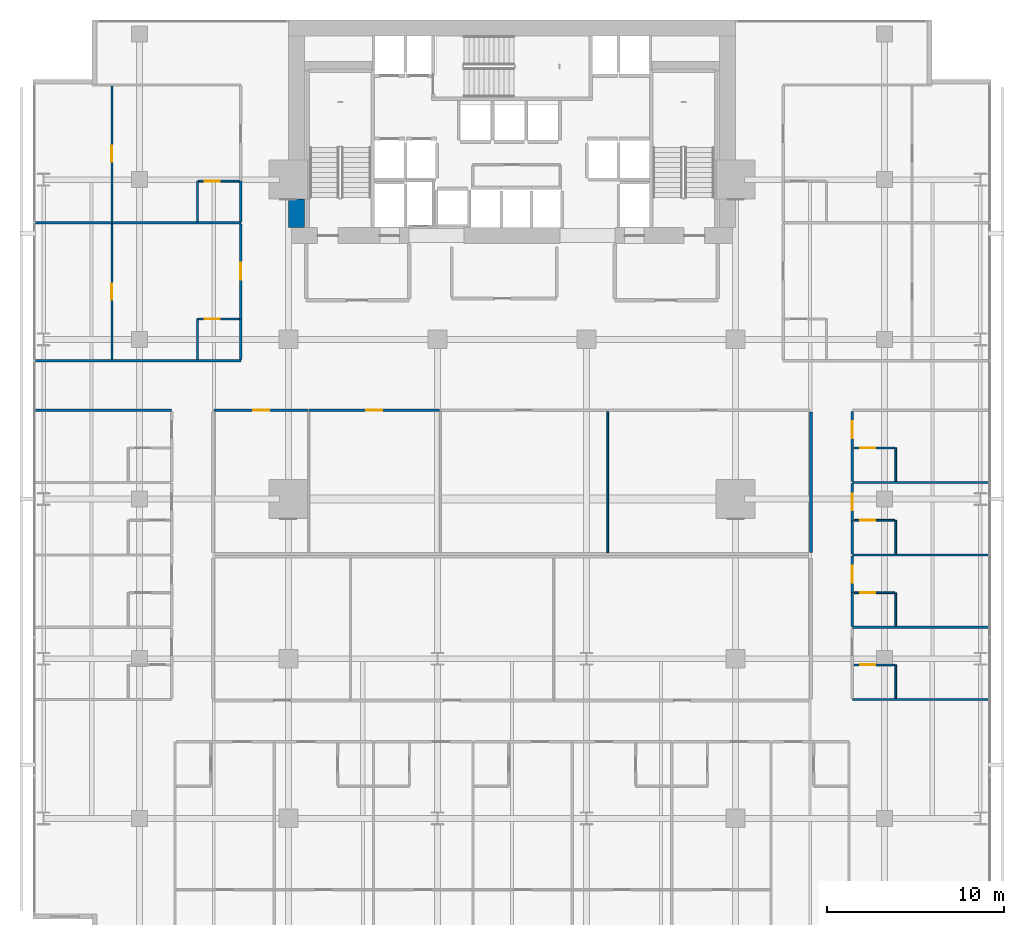
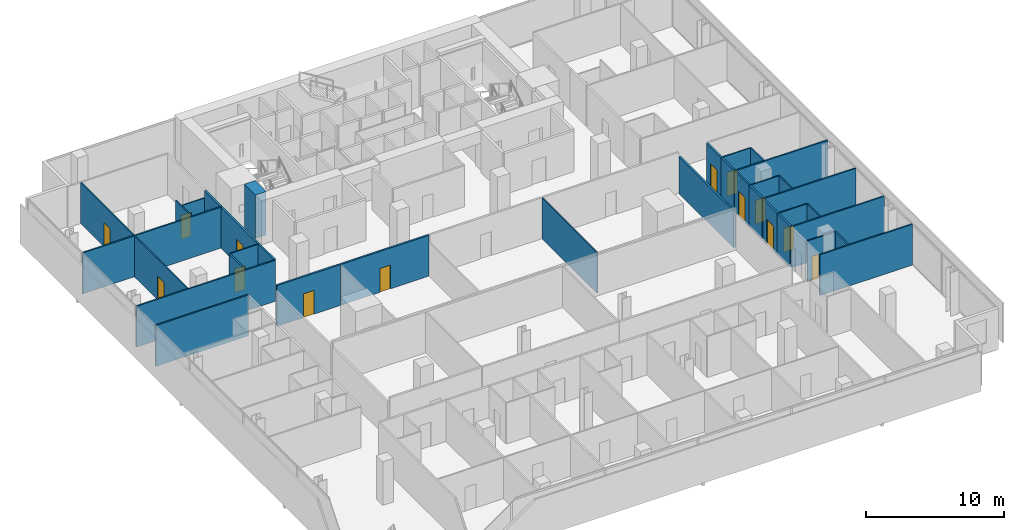
# One storey, part 35 of 40: 35 walls, 14 doors, 14 openings.
"""IFC4 building model written with IfcOpenShell, lengths in metres."""

from ifc_helpers import new_model, si_unit, direction, frame, frame_2d, origin, place, context, subcontext, project, spatial, rectangle, extrude, material, layer, layer_set, type_object, element, fill, save


model = new_model("IFC4")

# Units and contexts
model_context = context("Model", 3, precision=1e-05, world=origin(), true_north=direction((0.0, 1.0)))
body_context = subcontext(model_context, "Body", "Model", "MODEL_VIEW")
ifc_project = project(units=[si_unit("LENGTHUNIT", "METRE"), si_unit("AREAUNIT", "SQUARE_METRE"), si_unit("VOLUMEUNIT", "CUBIC_METRE"), si_unit("PLANEANGLEUNIT", "RADIAN"), si_unit("MASSUNIT", "GRAM", prefix="KILO")], contexts=[model_context])

# Site, building, storey
site_placement = place(None, origin())
site = spatial("IfcSite", under=ifc_project, at=site_placement, CompositionType="ELEMENT")
building_placement = place(site_placement, origin())
building = spatial("IfcBuilding", under=site, at=building_placement, Name="Maruvema Waterfront Hotel and Observation Tower", CompositionType="ELEMENT")
storey_placement = place(building_placement, frame((0.0, 0.0, 53.89990234375)))
storey = spatial("IfcBuildingStorey", under=building, at=storey_placement, Name="L12", CompositionType="ELEMENT", Elevation=53.89990234375)

# Wall
ifc_material_1 = material(Name="Twin-stud acoustic gypsum drywall", Category="gypsum")
ifc_layer_1 = layer(ifc_material_1, 0.14990234375, Name="Acoustic Corridor and Suite Demising Wall 150 mm")
ifc_layer_set_1 = layer_set([ifc_layer_1], Name="Twin-stud acoustic gypsum drywall")
wall_type_1 = type_object("IfcWallType", Name="Acoustic Corridor and Suite Demising Wall 150 mm", PredefinedType="PARTITIONING", material=ifc_layer_set_1)
wall_1_placement = place(storey_placement, frame((54.64990234375, 23.97998046875, 0.0), z_axis=(0.0, 0.0, 1.0), x_axis=(0.0, 1.0, 0.0)))
element("IfcWall", 1, at=wall_1_placement, inside=storey, type_object=wall_type_1, Name="L12 L12-INTN East Wall 018", PredefinedType="PARTITIONING", context=body_context, shape_type="SweptSolid", body=[
    extrude(rectangle(XDim=7.93994140625, YDim=0.14990234375, at=frame_2d((3.969970703125, 0.0))), origin(), (0.0, 0.0, 1.0), 3.255126953125),
])

# Wall, opening, door
wall_2_placement = place(storey_placement, frame((21.010009765625, 32.0, 0.0), z_axis=(0.0, 0.0, 1.0), x_axis=(1.0, 0.0, 0.0)))
wall_2 = element("IfcWall", 2, at=wall_2_placement, inside=storey, type_object=wall_type_1, Name="L12 L12-INTN Front 1 019", PredefinedType="PARTITIONING", context=body_context, shape_type="SweptSolid", body=[
    extrude(rectangle(XDim=5.302001953125, YDim=0.14990234375, at=frame_2d((2.65087890625, 0.0))), origin(), (0.0, 0.0, 1.0), 3.610107421875),
])
opening_1_placement = place(wall_2_placement, frame((2.200927734375, 0.0, 0.0)))
opening_1 = element("IfcOpeningElement", 3, at=opening_1_placement, cuts=wall_2, Name="Opening DR-090", PredefinedType="OPENING", context=body_context, shape_type="SweptSolid", body=[
    extrude(rectangle(XDim=0.89990234375, YDim=2.10009765625, at=frame_2d((0.449951171875, 1.050048828125))), frame((0.0, 0.0849609375, 0.0), z_axis=(0.0, -1.0, 0.0), x_axis=(1.0, 0.0, 0.0)), (0.0, 0.0, 1.0), 0.169921875),
])
ifc_material_2 = material(Name="Solid-core lacquered timber leaf", Category="wood")
door_type_1 = type_object("IfcDoorType", Name="Accessible Toilet and Room Door 900x2100 mm", OperationType="NOTDEFINED", PredefinedType="DOOR", material=ifc_material_2)
door_1_placement = place(opening_1_placement, origin())
door_1 = element("IfcDoor", 4, at=door_1_placement, inside=storey, type_object=door_type_1, Name="L12 Conference Salon 1 Door", OperationType="SINGLE_SWING_RIGHT", OverallHeight=2.10009765625, OverallWidth=0.89990234375, PredefinedType="DOOR", context=body_context, shape_type="SweptSolid", body=[
    extrude(rectangle(XDim=0.89990234375, YDim=2.10009765625, at=frame_2d((0.449951171875, 1.050048828125))), frame((0.0, 0.02490234375, 0.0), z_axis=(0.0, -1.0, 0.0), x_axis=(1.0, 0.0, 0.0)), (0.0, 0.0, 1.0), 0.050048828125),
])
fill(opening_1, door_1)

wall_3_placement = place(storey_placement, frame((26.3720703125, 32.0, 0.0), z_axis=(0.0, 0.0, 1.0), x_axis=(1.0, 0.0, 0.0)))
wall_3 = element("IfcWall", 5, at=wall_3_placement, inside=storey, type_object=wall_type_1, Name="L12 L12-INTN Front 2 021", PredefinedType="PARTITIONING", context=body_context, shape_type="SweptSolid", body=[
    extrude(rectangle(XDim=7.35400390625, YDim=0.14990234375, at=frame_2d((3.677001953125, 0.0))), origin(), (0.0, 0.0, 1.0), 3.610107421875),
])
opening_2_placement = place(wall_3_placement, frame((3.22705078125, 0.0, 0.0)))
opening_2 = element("IfcOpeningElement", 6, at=opening_2_placement, cuts=wall_3, Name="Opening DR-090", PredefinedType="OPENING", context=body_context, shape_type="SweptSolid", body=[
    extrude(rectangle(XDim=0.89990234375, YDim=2.10009765625, at=frame_2d((0.449951171875, 1.050048828125))), frame((0.0, 0.0849609375, 0.0), z_axis=(0.0, -1.0, 0.0), x_axis=(1.0, 0.0, 0.0)), (0.0, 0.0, 1.0), 0.169921875),
])
door_2_placement = place(opening_2_placement, origin())
door_2 = element("IfcDoor", 7, at=door_2_placement, inside=storey, type_object=door_type_1, Name="L12 Conference Salon 2 Door", OperationType="SINGLE_SWING_LEFT", OverallHeight=2.10009765625, OverallWidth=0.89990234375, PredefinedType="DOOR", context=body_context, shape_type="SweptSolid", body=[
    extrude(rectangle(XDim=0.89990234375, YDim=2.10009765625, at=frame_2d((0.449951171875, 1.050048828125))), frame((0.0, 0.02490234375, 0.0), z_axis=(0.0, -1.0, 0.0), x_axis=(1.0, 0.0, 0.0)), (0.0, 0.0, 1.0), 0.050048828125),
])
fill(opening_2, door_2)

# Wall
wall_4_placement = place(storey_placement, frame((56.97998046875, 19.830078125, 0.0), z_axis=(0.0, 0.0, 1.0), x_axis=(0.0, 1.0, 0.0)))
element("IfcWall", 8, at=wall_4_placement, inside=storey, type_object=wall_type_1, Name="L12 Bath L12-E2 Wall 094", PredefinedType="PARTITIONING", context=body_context, shape_type="SweptSolid", body=[
    extrude(rectangle(XDim=1.889892578125, YDim=0.14990234375, at=frame_2d((0.94482421875, 0.0))), origin(), (0.0, 0.0, 1.0), 3.610107421875),
])

# Wall, opening, door
wall_5_placement = place(storey_placement, frame((56.97998046875, 21.719970703125, 0.0), z_axis=(0.0, 0.0, 1.0), x_axis=(0.0, 1.0, 0.0)))
wall_5 = element("IfcWall", 9, at=wall_5_placement, inside=storey, type_object=wall_type_1, Name="L12 Room L12-E2 Corridor Wall 095", PredefinedType="PARTITIONING", context=body_context, shape_type="SweptSolid", body=[
    extrude(rectangle(XDim=2.070068359375, YDim=0.14990234375, at=frame_2d((1.03515625, 0.0))), origin(), (0.0, 0.0, 1.0), 3.610107421875),
])
opening_3_placement = place(wall_5_placement, frame((0.56005859375, 0.0, 0.0)))
opening_3 = element("IfcOpeningElement", 10, at=opening_3_placement, cuts=wall_5, Name="Opening DR-095", PredefinedType="OPENING", context=body_context, shape_type="SweptSolid", body=[
    extrude(rectangle(XDim=0.949951171875, YDim=2.14990234375, at=frame_2d((0.47509765625, 1.074951171875))), frame((0.0, 0.0849609375, 0.0), z_axis=(0.0, -1.0, 0.0), x_axis=(1.0, 0.0, 0.0)), (0.0, 0.0, 1.0), 0.169921875),
])
ifc_material_3 = material(Name="Acoustic solid-core hardwood timber leaf", Category="wood")
door_type_2 = type_object("IfcDoorType", Name="Guestroom Entrance Fire Door 950x2150 mm", OperationType="NOTDEFINED", PredefinedType="DOOR", material=ifc_material_3)
door_3_placement = place(opening_3_placement, frame((0.949951171875, 0.0, 0.0), z_axis=(0.0, 0.0, 1.0), x_axis=(-1.0, 0.0, 0.0)))
door_3 = element("IfcDoor", 11, at=door_3_placement, inside=storey, type_object=door_type_2, Name="L12 Room L12-E2 Entrance Door", OperationType="SINGLE_SWING_RIGHT", OverallHeight=2.14990234375, OverallWidth=0.949951171875, PredefinedType="DOOR", context=body_context, shape_type="SweptSolid", body=[
    extrude(rectangle(XDim=0.949951171875, YDim=2.14990234375, at=frame_2d((0.47509765625, 1.074951171875))), frame((0.0, 0.02490234375, 0.0), z_axis=(0.0, -1.0, 0.0), x_axis=(1.0, 0.0, 0.0)), (0.0, 0.0, 1.0), 0.050048828125),
])
fill(opening_3, door_3)

# Wall
wall_6_placement = place(storey_placement, frame((56.97998046875, 23.909912109375, 0.0), z_axis=(0.0, 0.0, 1.0), x_axis=(0.0, 1.0, 0.0)))
element("IfcWall", 12, at=wall_6_placement, inside=storey, type_object=wall_type_1, Name="L12 Bath L12-E3 Wall 104", PredefinedType="PARTITIONING", context=body_context, shape_type="SweptSolid", body=[
    extrude(rectangle(XDim=1.89013671875, YDim=0.14990234375, at=frame_2d((0.945068359375, 0.0))), origin(), (0.0, 0.0, 1.0), 3.610107421875),
])

# Wall, opening, door
wall_7_placement = place(storey_placement, frame((56.97998046875, 25.800048828125, 0.0), z_axis=(0.0, 0.0, 1.0), x_axis=(0.0, 1.0, 0.0)))
wall_7 = element("IfcWall", 13, at=wall_7_placement, inside=storey, type_object=wall_type_1, Name="L12 Room L12-E3 Corridor Wall 105", PredefinedType="PARTITIONING", context=body_context, shape_type="SweptSolid", body=[
    extrude(rectangle(XDim=2.070068359375, YDim=0.14990234375, at=frame_2d((1.03515625, 0.0))), origin(), (0.0, 0.0, 1.0), 3.610107421875),
])
opening_4_placement = place(wall_7_placement, frame((0.56005859375, 0.0, 0.0)))
opening_4 = element("IfcOpeningElement", 14, at=opening_4_placement, cuts=wall_7, Name="Opening DR-095", PredefinedType="OPENING", context=body_context, shape_type="SweptSolid", body=[
    extrude(rectangle(XDim=0.949951171875, YDim=2.14990234375, at=frame_2d((0.47509765625, 1.074951171875))), frame((0.0, 0.0849609375, 0.0), z_axis=(0.0, -1.0, 0.0), x_axis=(1.0, 0.0, 0.0)), (0.0, 0.0, 1.0), 0.169921875),
])
door_4_placement = place(opening_4_placement, frame((0.949951171875, 0.0, 0.0), z_axis=(0.0, 0.0, 1.0), x_axis=(-1.0, 0.0, 0.0)))
door_4 = element("IfcDoor", 15, at=door_4_placement, inside=storey, type_object=door_type_2, Name="L12 Room L12-E3 Entrance Door", OperationType="SINGLE_SWING_RIGHT", OverallHeight=2.14990234375, OverallWidth=0.949951171875, PredefinedType="DOOR", context=body_context, shape_type="SweptSolid", body=[
    extrude(rectangle(XDim=0.949951171875, YDim=2.14990234375, at=frame_2d((0.47509765625, 1.074951171875))), frame((0.0, 0.02490234375, 0.0), z_axis=(0.0, -1.0, 0.0), x_axis=(1.0, 0.0, 0.0)), (0.0, 0.0, 1.0), 0.050048828125),
])
fill(opening_4, door_4)

# Wall
wall_8_placement = place(storey_placement, frame((56.97998046875, 27.989990234375, 0.0), z_axis=(0.0, 0.0, 1.0), x_axis=(0.0, 1.0, 0.0)))
element("IfcWall", 16, at=wall_8_placement, inside=storey, type_object=wall_type_1, Name="L12 Bath L12-E4 Wall 114", PredefinedType="PARTITIONING", context=body_context, shape_type="SweptSolid", body=[
    extrude(rectangle(XDim=1.889892578125, YDim=0.14990234375, at=frame_2d((0.94482421875, 0.0))), origin(), (0.0, 0.0, 1.0), 3.610107421875),
])

# Wall, opening, door
wall_9_placement = place(storey_placement, frame((56.97998046875, 29.8798828125, 0.0), z_axis=(0.0, 0.0, 1.0), x_axis=(0.0, 1.0, 0.0)))
wall_9 = element("IfcWall", 17, at=wall_9_placement, inside=storey, type_object=wall_type_1, Name="L12 Room L12-E4 Corridor Wall 115", PredefinedType="PARTITIONING", context=body_context, shape_type="SweptSolid", body=[
    extrude(rectangle(XDim=2.06005859375, YDim=0.14990234375, at=frame_2d((1.030029296875, 0.0))), origin(), (0.0, 0.0, 1.0), 3.610107421875),
])
opening_5_placement = place(wall_9_placement, frame((0.554931640625, 0.0, 0.0)))
opening_5 = element("IfcOpeningElement", 18, at=opening_5_placement, cuts=wall_9, Name="Opening DR-095", PredefinedType="OPENING", context=body_context, shape_type="SweptSolid", body=[
    extrude(rectangle(XDim=0.949951171875, YDim=2.14990234375, at=frame_2d((0.47509765625, 1.074951171875))), frame((0.0, 0.0849609375, 0.0), z_axis=(0.0, -1.0, 0.0), x_axis=(1.0, 0.0, 0.0)), (0.0, 0.0, 1.0), 0.169921875),
])
door_5_placement = place(opening_5_placement, frame((0.949951171875, 0.0, 0.0), z_axis=(0.0, 0.0, 1.0), x_axis=(-1.0, 0.0, 0.0)))
door_5 = element("IfcDoor", 19, at=door_5_placement, inside=storey, type_object=door_type_2, Name="L12 Room L12-E4 Entrance Door", OperationType="SINGLE_SWING_RIGHT", OverallHeight=2.14990234375, OverallWidth=0.949951171875, PredefinedType="DOOR", context=body_context, shape_type="SweptSolid", body=[
    extrude(rectangle(XDim=0.949951171875, YDim=2.14990234375, at=frame_2d((0.47509765625, 1.074951171875))), frame((0.0, 0.02490234375, 0.0), z_axis=(0.0, -1.0, 0.0), x_axis=(1.0, 0.0, 0.0)), (0.0, 0.0, 1.0), 0.050048828125),
])
fill(opening_5, door_5)

# Wall
wall_10_placement = place(storey_placement, frame((22.52001953125, 34.860107421875, 0.0), z_axis=(0.0, 0.0, 1.0), x_axis=(0.0, 1.0, 0.0)))
element("IfcWall", 20, at=wall_10_placement, inside=storey, type_object=wall_type_1, Name="L12 Bath L12-NW1 Wall 122", PredefinedType="PARTITIONING", context=body_context, shape_type="SweptSolid", body=[
    extrude(rectangle(XDim=2.289794921875, YDim=0.14990234375, at=frame_2d((1.14501953125, 0.0))), origin(), (0.0, 0.0, 1.0), 3.610107421875),
])

# Wall, opening, door
wall_11_placement = place(storey_placement, frame((22.52001953125, 37.14990234375, 0.0), z_axis=(0.0, 0.0, 1.0), x_axis=(0.0, 1.0, 0.0)))
wall_11 = element("IfcWall", 21, at=wall_11_placement, inside=storey, type_object=wall_type_1, Name="L12 Room L12-NW1 Corridor Wall 123", PredefinedType="PARTITIONING", context=body_context, shape_type="SweptSolid", body=[
    extrude(rectangle(XDim=5.35888671875, YDim=0.14990234375, at=frame_2d((2.679443359375, 0.0))), origin(), (0.0, 0.0, 1.0), 3.610107421875),
])
opening_6_placement = place(wall_11_placement, frame((2.204345703125, 0.0, 0.0)))
opening_6 = element("IfcOpeningElement", 22, at=opening_6_placement, cuts=wall_11, Name="Opening DR-095", PredefinedType="OPENING", context=body_context, shape_type="SweptSolid", body=[
    extrude(rectangle(XDim=0.949951171875, YDim=2.14990234375, at=frame_2d((0.47509765625, 1.074951171875))), frame((0.0, 0.0849609375, 0.0), z_axis=(0.0, -1.0, 0.0), x_axis=(1.0, 0.0, 0.0)), (0.0, 0.0, 1.0), 0.169921875),
])
door_6_placement = place(opening_6_placement, origin())
door_6 = element("IfcDoor", 23, at=door_6_placement, inside=storey, type_object=door_type_2, Name="L12 Room L12-NW1 Entrance Door", OperationType="SINGLE_SWING_RIGHT", OverallHeight=2.14990234375, OverallWidth=0.949951171875, PredefinedType="DOOR", context=body_context, shape_type="SweptSolid", body=[
    extrude(rectangle(XDim=0.949951171875, YDim=2.14990234375, at=frame_2d((0.47509765625, 1.074951171875))), frame((0.0, 0.02490234375, 0.0), z_axis=(0.0, -1.0, 0.0), x_axis=(1.0, 0.0, 0.0)), (0.0, 0.0, 1.0), 0.050048828125),
])
fill(opening_6, door_6)

# Walls
wall_12_placement = place(storey_placement, frame((22.52001953125, 42.628662109375, 0.0), z_axis=(0.0, 0.0, 1.0), x_axis=(0.0, 1.0, 0.0)))
element("IfcWall", 24, at=wall_12_placement, inside=storey, type_object=wall_type_1, Name="L12 Bath L12-NW2 Wall 134", PredefinedType="PARTITIONING", context=body_context, shape_type="SweptSolid", body=[
    extrude(rectangle(XDim=2.2900390625, YDim=0.14990234375, at=frame_2d((1.14501953125, 0.0))), origin(), (0.0, 0.0, 1.0), 3.610107421875),
])
ifc_material_4 = material(Name="Concrete C80/95", Category="concrete")
ifc_layer_2 = layer(ifc_material_4, 0.89990234375, Name="Core Shear Wall 900 mm")
ifc_layer_set_2 = layer_set([ifc_layer_2], Name="Concrete C80/95")
wall_type_2 = type_object("IfcWallType", Name="Core Shear Wall 900 mm", PredefinedType="SHEAR", material=ifc_layer_set_2)
wall_13_placement = place(storey_placement, frame((25.64990234375, 42.300048828125, 0.0), z_axis=(0.0, 0.0, 1.0), x_axis=(0.0, 1.0, 0.0)))
element("IfcWall", 25, at=wall_13_placement, inside=storey, type_object=wall_type_2, Name="L12 West-South Core Shear Wall", PredefinedType="SHEAR", context=body_context, shape_type="SweptSolid", body=[
    extrude(rectangle(XDim=1.599853515625, YDim=0.89990234375, at=frame_2d((0.7998046875, 0.0))), origin(), (0.0, 0.0, 1.0), 3.85009765625),
])
ifc_material_5 = material(Name="Moisture-resistant cement-board drywall", Category="gypsum")
ifc_layer_3 = layer(ifc_material_5, 0.10009765625, Name="En-Suite Moisture-Resistant Partition 100 mm")
ifc_layer_set_3 = layer_set([ifc_layer_3], Name="Moisture-resistant cement-board drywall")
wall_type_3 = type_object("IfcWallType", Name="En-Suite Moisture-Resistant Partition 100 mm", PredefinedType="PARTITIONING", material=ifc_layer_set_3)
wall_14_placement = place(storey_placement, frame((43.19189453125, 23.97998046875, 0.0), z_axis=(0.0, 0.0, 1.0), x_axis=(0.0, 1.0, 0.0)))
element("IfcWall", 26, at=wall_14_placement, inside=storey, type_object=wall_type_3, Name="L12 L12-INTN Split 3 024", PredefinedType="PARTITIONING", context=body_context, shape_type="SweptSolid", body=[
    extrude(rectangle(XDim=7.93994140625, YDim=0.10009765625, at=frame_2d((3.969970703125, 0.0))), origin(), (0.0, 0.0, 1.0), 3.610107421875),
])
wall_15_placement = place(storey_placement, frame((59.429931640625, 15.760009765625, 0.0), z_axis=(0.0, 0.0, 1.0), x_axis=(0.0, 1.0, 0.0)))
element("IfcWall", 27, at=wall_15_placement, inside=storey, type_object=wall_type_3, Name="L12 En-Suite L12-E1 E 086", PredefinedType="PARTITIONING", context=body_context, shape_type="SweptSolid", body=[
    extrude(rectangle(XDim=1.889892578125, YDim=0.10009765625, at=frame_2d((0.94482421875, 0.0))), origin(), (0.0, 0.0, 1.0), 3.610107421875),
])

# Wall, opening, door
wall_16_placement = place(storey_placement, frame((57.080078125, 17.64990234375, 0.0), z_axis=(0.0, 0.0, 1.0), x_axis=(1.0, 0.0, 0.0)))
wall_16 = element("IfcWall", 28, at=wall_16_placement, inside=storey, type_object=wall_type_3, Name="L12 En-Suite L12-E1 N 087", PredefinedType="PARTITIONING", context=body_context, shape_type="SweptSolid", body=[
    extrude(rectangle(XDim=2.2998046875, YDim=0.10009765625, at=frame_2d((1.14990234375, 0.0))), origin(), (0.0, 0.0, 1.0), 3.610107421875),
])
opening_7_placement = place(wall_16_placement, frame((0.35009765625, 0.0, 0.0)))
opening_7 = element("IfcOpeningElement", 29, at=opening_7_placement, cuts=wall_16, Name="Opening DR-085", PredefinedType="OPENING", context=body_context, shape_type="SweptSolid", body=[
    extrude(rectangle(XDim=0.85009765625, YDim=2.10009765625, at=frame_2d((0.425048828125, 1.050048828125))), frame((0.0, 0.06005859375, 0.0), z_axis=(0.0, -1.0, 0.0), x_axis=(1.0, 0.0, 0.0)), (0.0, 0.0, 1.0), 0.1201171875),
])
ifc_material_6 = material(Name="Moisture-resistant solid timber leaf", Category="wood")
door_type_3 = type_object("IfcDoorType", Name="En-Suite Bathroom Door 850x2100 mm", OperationType="NOTDEFINED", PredefinedType="DOOR", material=ifc_material_6)
door_7_placement = place(opening_7_placement, origin())
door_7 = element("IfcDoor", 30, at=door_7_placement, inside=storey, type_object=door_type_3, Name="L12 En-Suite L12-E1 Door", OperationType="SINGLE_SWING_LEFT", OverallHeight=2.10009765625, OverallWidth=0.85009765625, PredefinedType="DOOR", context=body_context, shape_type="SweptSolid", body=[
    extrude(rectangle(XDim=0.85009765625, YDim=2.10009765625, at=frame_2d((0.425048828125, 1.050048828125))), frame((0.0, 0.02490234375, 0.0), z_axis=(0.0, -1.0, 0.0), x_axis=(1.0, 0.0, 0.0)), (0.0, 0.0, 1.0), 0.050048828125),
])
fill(opening_7, door_7)

# Wall
wall_17_placement = place(storey_placement, frame((59.429931640625, 19.830078125, 0.0), z_axis=(0.0, 0.0, 1.0), x_axis=(0.0, 1.0, 0.0)))
element("IfcWall", 31, at=wall_17_placement, inside=storey, type_object=wall_type_3, Name="L12 En-Suite L12-E2 E 096", PredefinedType="PARTITIONING", context=body_context, shape_type="SweptSolid", body=[
    extrude(rectangle(XDim=1.889892578125, YDim=0.10009765625, at=frame_2d((0.94482421875, 0.0))), origin(), (0.0, 0.0, 1.0), 3.610107421875),
])

# Wall, opening, door
wall_18_placement = place(storey_placement, frame((57.080078125, 21.719970703125, 0.0), z_axis=(0.0, 0.0, 1.0), x_axis=(1.0, 0.0, 0.0)))
wall_18 = element("IfcWall", 32, at=wall_18_placement, inside=storey, type_object=wall_type_3, Name="L12 En-Suite L12-E2 N 097", PredefinedType="PARTITIONING", context=body_context, shape_type="SweptSolid", body=[
    extrude(rectangle(XDim=2.2998046875, YDim=0.10009765625, at=frame_2d((1.14990234375, 0.0))), origin(), (0.0, 0.0, 1.0), 3.610107421875),
])
opening_8_placement = place(wall_18_placement, frame((0.35009765625, 0.0, 0.0)))
opening_8 = element("IfcOpeningElement", 33, at=opening_8_placement, cuts=wall_18, Name="Opening DR-085", PredefinedType="OPENING", context=body_context, shape_type="SweptSolid", body=[
    extrude(rectangle(XDim=0.85009765625, YDim=2.10009765625, at=frame_2d((0.425048828125, 1.050048828125))), frame((0.0, 0.06005859375, 0.0), z_axis=(0.0, -1.0, 0.0), x_axis=(1.0, 0.0, 0.0)), (0.0, 0.0, 1.0), 0.1201171875),
])
door_8_placement = place(opening_8_placement, origin())
door_8 = element("IfcDoor", 34, at=door_8_placement, inside=storey, type_object=door_type_3, Name="L12 En-Suite L12-E2 Door", OperationType="SINGLE_SWING_LEFT", OverallHeight=2.10009765625, OverallWidth=0.85009765625, PredefinedType="DOOR", context=body_context, shape_type="SweptSolid", body=[
    extrude(rectangle(XDim=0.85009765625, YDim=2.10009765625, at=frame_2d((0.425048828125, 1.050048828125))), frame((0.0, 0.02490234375, 0.0), z_axis=(0.0, -1.0, 0.0), x_axis=(1.0, 0.0, 0.0)), (0.0, 0.0, 1.0), 0.050048828125),
])
fill(opening_8, door_8)

# Wall
wall_19_placement = place(storey_placement, frame((59.429931640625, 23.909912109375, 0.0), z_axis=(0.0, 0.0, 1.0), x_axis=(0.0, 1.0, 0.0)))
element("IfcWall", 35, at=wall_19_placement, inside=storey, type_object=wall_type_3, Name="L12 En-Suite L12-E3 E 106", PredefinedType="PARTITIONING", context=body_context, shape_type="SweptSolid", body=[
    extrude(rectangle(XDim=1.89013671875, YDim=0.10009765625, at=frame_2d((0.945068359375, 0.0))), origin(), (0.0, 0.0, 1.0), 3.610107421875),
])

# Wall, opening, door
wall_20_placement = place(storey_placement, frame((57.080078125, 25.800048828125, 0.0), z_axis=(0.0, 0.0, 1.0), x_axis=(1.0, 0.0, 0.0)))
wall_20 = element("IfcWall", 36, at=wall_20_placement, inside=storey, type_object=wall_type_3, Name="L12 En-Suite L12-E3 N 107", PredefinedType="PARTITIONING", context=body_context, shape_type="SweptSolid", body=[
    extrude(rectangle(XDim=2.2998046875, YDim=0.10009765625, at=frame_2d((1.14990234375, 0.0))), origin(), (0.0, 0.0, 1.0), 3.610107421875),
])
opening_9_placement = place(wall_20_placement, frame((0.35009765625, 0.0, 0.0)))
opening_9 = element("IfcOpeningElement", 37, at=opening_9_placement, cuts=wall_20, Name="Opening DR-085", PredefinedType="OPENING", context=body_context, shape_type="SweptSolid", body=[
    extrude(rectangle(XDim=0.85009765625, YDim=2.10009765625, at=frame_2d((0.425048828125, 1.050048828125))), frame((0.0, 0.06005859375, 0.0), z_axis=(0.0, -1.0, 0.0), x_axis=(1.0, 0.0, 0.0)), (0.0, 0.0, 1.0), 0.1201171875),
])
door_9_placement = place(opening_9_placement, origin())
door_9 = element("IfcDoor", 38, at=door_9_placement, inside=storey, type_object=door_type_3, Name="L12 En-Suite L12-E3 Door", OperationType="SINGLE_SWING_LEFT", OverallHeight=2.10009765625, OverallWidth=0.85009765625, PredefinedType="DOOR", context=body_context, shape_type="SweptSolid", body=[
    extrude(rectangle(XDim=0.85009765625, YDim=2.10009765625, at=frame_2d((0.425048828125, 1.050048828125))), frame((0.0, 0.02490234375, 0.0), z_axis=(0.0, -1.0, 0.0), x_axis=(1.0, 0.0, 0.0)), (0.0, 0.0, 1.0), 0.050048828125),
])
fill(opening_9, door_9)

# Wall
wall_21_placement = place(storey_placement, frame((59.429931640625, 27.989990234375, 0.0), z_axis=(0.0, 0.0, 1.0), x_axis=(0.0, 1.0, 0.0)))
element("IfcWall", 39, at=wall_21_placement, inside=storey, type_object=wall_type_3, Name="L12 En-Suite L12-E4 E 116", PredefinedType="PARTITIONING", context=body_context, shape_type="SweptSolid", body=[
    extrude(rectangle(XDim=1.889892578125, YDim=0.10009765625, at=frame_2d((0.94482421875, 0.0))), origin(), (0.0, 0.0, 1.0), 3.610107421875),
])

# Wall, opening, door
wall_22_placement = place(storey_placement, frame((57.080078125, 29.8798828125, 0.0), z_axis=(0.0, 0.0, 1.0), x_axis=(1.0, 0.0, 0.0)))
wall_22 = element("IfcWall", 40, at=wall_22_placement, inside=storey, type_object=wall_type_3, Name="L12 En-Suite L12-E4 N 117", PredefinedType="PARTITIONING", context=body_context, shape_type="SweptSolid", body=[
    extrude(rectangle(XDim=2.2998046875, YDim=0.10009765625, at=frame_2d((1.14990234375, 0.0))), origin(), (0.0, 0.0, 1.0), 3.610107421875),
])
opening_10_placement = place(wall_22_placement, frame((0.35009765625, 0.0, 0.0)))
opening_10 = element("IfcOpeningElement", 41, at=opening_10_placement, cuts=wall_22, Name="Opening DR-085", PredefinedType="OPENING", context=body_context, shape_type="SweptSolid", body=[
    extrude(rectangle(XDim=0.85009765625, YDim=2.10009765625, at=frame_2d((0.425048828125, 1.050048828125))), frame((0.0, 0.06005859375, 0.0), z_axis=(0.0, -1.0, 0.0), x_axis=(1.0, 0.0, 0.0)), (0.0, 0.0, 1.0), 0.1201171875),
])
door_10_placement = place(opening_10_placement, origin())
door_10 = element("IfcDoor", 42, at=door_10_placement, inside=storey, type_object=door_type_3, Name="L12 En-Suite L12-E4 Door", OperationType="SINGLE_SWING_LEFT", OverallHeight=2.10009765625, OverallWidth=0.85009765625, PredefinedType="DOOR", context=body_context, shape_type="SweptSolid", body=[
    extrude(rectangle(XDim=0.85009765625, YDim=2.10009765625, at=frame_2d((0.425048828125, 1.050048828125))), frame((0.0, 0.02490234375, 0.0), z_axis=(0.0, -1.0, 0.0), x_axis=(1.0, 0.0, 0.0)), (0.0, 0.0, 1.0), 0.050048828125),
])
fill(opening_10, door_10)

# Wall
wall_23_placement = place(storey_placement, frame((20.070068359375, 34.860107421875, 0.0), z_axis=(0.0, 0.0, 1.0), x_axis=(0.0, 1.0, 0.0)))
element("IfcWall", 43, at=wall_23_placement, inside=storey, type_object=wall_type_3, Name="L12 En-Suite L12-NW1 W 124", PredefinedType="PARTITIONING", context=body_context, shape_type="SweptSolid", body=[
    extrude(rectangle(XDim=2.289794921875, YDim=0.10009765625, at=frame_2d((1.14501953125, 0.0))), origin(), (0.0, 0.0, 1.0), 3.610107421875),
])

# Wall, opening, door
wall_24_placement = place(storey_placement, frame((20.1201171875, 37.14990234375, 0.0), z_axis=(0.0, 0.0, 1.0), x_axis=(1.0, 0.0, 0.0)))
wall_24 = element("IfcWall", 44, at=wall_24_placement, inside=storey, type_object=wall_type_3, Name="L12 En-Suite L12-NW1 N 125", PredefinedType="PARTITIONING", context=body_context, shape_type="SweptSolid", body=[
    extrude(rectangle(XDim=2.2998046875, YDim=0.10009765625, at=frame_2d((1.14990234375, 0.0))), origin(), (0.0, 0.0, 1.0), 3.610107421875),
])
opening_11_placement = place(wall_24_placement, frame((0.35009765625, 0.0, 0.0)))
opening_11 = element("IfcOpeningElement", 45, at=opening_11_placement, cuts=wall_24, Name="Opening DR-085", PredefinedType="OPENING", context=body_context, shape_type="SweptSolid", body=[
    extrude(rectangle(XDim=0.85009765625, YDim=2.10009765625, at=frame_2d((0.425048828125, 1.050048828125))), frame((0.0, 0.06005859375, 0.0), z_axis=(0.0, -1.0, 0.0), x_axis=(1.0, 0.0, 0.0)), (0.0, 0.0, 1.0), 0.1201171875),
])
door_11_placement = place(opening_11_placement, origin())
door_11 = element("IfcDoor", 46, at=door_11_placement, inside=storey, type_object=door_type_3, Name="L12 En-Suite L12-NW1 Door", OperationType="SINGLE_SWING_LEFT", OverallHeight=2.10009765625, OverallWidth=0.85009765625, PredefinedType="DOOR", context=body_context, shape_type="SweptSolid", body=[
    extrude(rectangle(XDim=0.85009765625, YDim=2.10009765625, at=frame_2d((0.425048828125, 1.050048828125))), frame((0.0, 0.02490234375, 0.0), z_axis=(0.0, -1.0, 0.0), x_axis=(1.0, 0.0, 0.0)), (0.0, 0.0, 1.0), 0.050048828125),
])
fill(opening_11, door_11)

wall_25_placement = place(storey_placement, frame((15.24951171875, 34.860107421875, 0.0), z_axis=(0.0, 0.0, 1.0), x_axis=(0.0, 1.0, 0.0)))
wall_25 = element("IfcWall", 47, at=wall_25_placement, inside=storey, type_object=wall_type_3, Name="L12 Suite L12-NW1 Split 126", PredefinedType="PARTITIONING", context=body_context, shape_type="SweptSolid", body=[
    extrude(rectangle(XDim=7.648681640625, YDim=0.10009765625, at=frame_2d((3.82421875, 0.0))), origin(), (0.0, 0.0, 1.0), 3.610107421875),
])
opening_12_placement = place(wall_25_placement, frame((3.374267578125, 0.0, 0.0)))
opening_12 = element("IfcOpeningElement", 48, at=opening_12_placement, cuts=wall_25, Name="Opening DR-090", PredefinedType="OPENING", context=body_context, shape_type="SweptSolid", body=[
    extrude(rectangle(XDim=0.89990234375, YDim=2.10009765625, at=frame_2d((0.449951171875, 1.050048828125))), frame((0.0, 0.06005859375, 0.0), z_axis=(0.0, -1.0, 0.0), x_axis=(1.0, 0.0, 0.0)), (0.0, 0.0, 1.0), 0.1201171875),
])
door_12_placement = place(opening_12_placement, origin())
door_12 = element("IfcDoor", 49, at=door_12_placement, inside=storey, type_object=door_type_1, Name="L12 Suite L12-NW1 Bedroom Door", OperationType="SINGLE_SWING_LEFT", OverallHeight=2.10009765625, OverallWidth=0.89990234375, PredefinedType="DOOR", context=body_context, shape_type="SweptSolid", body=[
    extrude(rectangle(XDim=0.89990234375, YDim=2.10009765625, at=frame_2d((0.449951171875, 1.050048828125))), frame((0.0, 0.02490234375, 0.0), z_axis=(0.0, -1.0, 0.0), x_axis=(1.0, 0.0, 0.0)), (0.0, 0.0, 1.0), 0.050048828125),
])
fill(opening_12, door_12)

# Wall
wall_26_placement = place(storey_placement, frame((20.070068359375, 42.628662109375, 0.0), z_axis=(0.0, 0.0, 1.0), x_axis=(0.0, 1.0, 0.0)))
element("IfcWall", 50, at=wall_26_placement, inside=storey, type_object=wall_type_3, Name="L12 En-Suite L12-NW2 W 136", PredefinedType="PARTITIONING", context=body_context, shape_type="SweptSolid", body=[
    extrude(rectangle(XDim=2.2900390625, YDim=0.10009765625, at=frame_2d((1.14501953125, 0.0))), origin(), (0.0, 0.0, 1.0), 3.610107421875),
])

# Wall, opening, door
wall_27_placement = place(storey_placement, frame((20.1201171875, 44.918701171875, 0.0), z_axis=(0.0, 0.0, 1.0), x_axis=(1.0, 0.0, 0.0)))
wall_27 = element("IfcWall", 51, at=wall_27_placement, inside=storey, type_object=wall_type_3, Name="L12 En-Suite L12-NW2 N 137", PredefinedType="PARTITIONING", context=body_context, shape_type="SweptSolid", body=[
    extrude(rectangle(XDim=2.2998046875, YDim=0.10009765625, at=frame_2d((1.14990234375, 0.0))), origin(), (0.0, 0.0, 1.0), 2.988037109375),
])
opening_13_placement = place(wall_27_placement, frame((0.35009765625, 0.0, 0.0)))
opening_13 = element("IfcOpeningElement", 52, at=opening_13_placement, cuts=wall_27, Name="Opening DR-085", PredefinedType="OPENING", context=body_context, shape_type="SweptSolid", body=[
    extrude(rectangle(XDim=0.85009765625, YDim=2.10009765625, at=frame_2d((0.425048828125, 1.050048828125))), frame((0.0, 0.06005859375, 0.0), z_axis=(0.0, -1.0, 0.0), x_axis=(1.0, 0.0, 0.0)), (0.0, 0.0, 1.0), 0.1201171875),
])
door_13_placement = place(opening_13_placement, origin())
door_13 = element("IfcDoor", 53, at=door_13_placement, inside=storey, type_object=door_type_3, Name="L12 En-Suite L12-NW2 Door", OperationType="SINGLE_SWING_LEFT", OverallHeight=2.10009765625, OverallWidth=0.85009765625, PredefinedType="DOOR", context=body_context, shape_type="SweptSolid", body=[
    extrude(rectangle(XDim=0.85009765625, YDim=2.10009765625, at=frame_2d((0.425048828125, 1.050048828125))), frame((0.0, 0.02490234375, 0.0), z_axis=(0.0, -1.0, 0.0), x_axis=(1.0, 0.0, 0.0)), (0.0, 0.0, 1.0), 0.050048828125),
])
fill(opening_13, door_13)

wall_28_placement = place(storey_placement, frame((15.24951171875, 42.628662109375, 0.0), z_axis=(0.0, 0.0, 1.0), x_axis=(0.0, 1.0, 0.0)))
wall_28 = element("IfcWall", 54, at=wall_28_placement, inside=storey, type_object=wall_type_3, Name="L12 Suite L12-NW2 Split 138", PredefinedType="PARTITIONING", context=body_context, shape_type="SweptSolid", body=[
    extrude(rectangle(XDim=7.64892578125, YDim=0.10009765625, at=frame_2d((3.824462890625, 0.0))), origin(), (0.0, 0.0, 1.0), 3.610107421875),
])
opening_14_placement = place(wall_28_placement, frame((3.37451171875, 0.0, 0.0)))
opening_14 = element("IfcOpeningElement", 55, at=opening_14_placement, cuts=wall_28, Name="Opening DR-090", PredefinedType="OPENING", context=body_context, shape_type="SweptSolid", body=[
    extrude(rectangle(XDim=0.89990234375, YDim=2.10009765625, at=frame_2d((0.449951171875, 1.050048828125))), frame((0.0, 0.06005859375, 0.0), z_axis=(0.0, -1.0, 0.0), x_axis=(1.0, 0.0, 0.0)), (0.0, 0.0, 1.0), 0.1201171875),
])
door_14_placement = place(opening_14_placement, origin())
door_14 = element("IfcDoor", 56, at=door_14_placement, inside=storey, type_object=door_type_1, Name="L12 Suite L12-NW2 Bedroom Door", OperationType="SINGLE_SWING_LEFT", OverallHeight=2.10009765625, OverallWidth=0.89990234375, PredefinedType="DOOR", context=body_context, shape_type="SweptSolid", body=[
    extrude(rectangle(XDim=0.89990234375, YDim=2.10009765625, at=frame_2d((0.449951171875, 1.050048828125))), frame((0.0, 0.02490234375, 0.0), z_axis=(0.0, -1.0, 0.0), x_axis=(1.0, 0.0, 0.0)), (0.0, 0.0, 1.0), 0.050048828125),
])
fill(opening_14, door_14)

# Walls
ifc_material_7 = material(Name="Acoustic gypsum plasterboard drywall", Category="gypsum")
ifc_layer_4 = layer(ifc_material_7, 0.125, Name="Guestroom Acoustic Demising Wall 125 mm")
ifc_layer_set_4 = layer_set([ifc_layer_4], Name="Acoustic gypsum plasterboard drywall")
wall_type_4 = type_object("IfcWallType", Name="Guestroom Acoustic Demising Wall 125 mm", PredefinedType="PARTITIONING", material=ifc_layer_set_4)
wall_29_placement = place(storey_placement, frame((56.97998046875, 15.699951171875, 0.0), z_axis=(0.0, 0.0, 1.0), x_axis=(1.0, 0.0, 0.0)))
element("IfcWall", 57, at=wall_29_placement, inside=storey, type_object=wall_type_4, Name="L12 E Bot End 077", PredefinedType="PARTITIONING", context=body_context, shape_type="SweptSolid", body=[
    extrude(rectangle(XDim=7.719970703125, YDim=0.125, at=frame_2d((3.85986328125, 0.0))), origin(), (0.0, 0.0, 1.0), 3.610107421875),
])
wall_30_placement = place(storey_placement, frame((10.89990234375, 32.0, 0.0), z_axis=(0.0, 0.0, 1.0), x_axis=(1.0, 0.0, 0.0)))
element("IfcWall", 58, at=wall_30_placement, inside=storey, type_object=wall_type_4, Name="L12 W Top End 078", PredefinedType="PARTITIONING", context=body_context, shape_type="SweptSolid", body=[
    extrude(rectangle(XDim=7.72021484375, YDim=0.125, at=frame_2d((3.860107421875, 0.0))), origin(), (0.0, 0.0, 1.0), 3.610107421875),
])
for number, where, z_axis, x_axis, name in (
    (59, (56.97998046875, 19.77001953125, 0.0), (0.0, 0.0, 1.0), (1.0, 0.0, 0.0), "L12 E Demising 2 089"),
    (60, (56.97998046875, 23.85009765625, 0.0), (0.0, 0.0, 1.0), (1.0, 0.0, 0.0), "L12 E Demising 3 099"),
    (61, (56.97998046875, 27.929931640625, 0.0), (0.0, 0.0, 1.0), (1.0, 0.0, 0.0), "L12 E Demising 4 109"),
):
    element("IfcWall", number, at=place(storey_placement, frame(where, z_axis=z_axis, x_axis=x_axis)), inside=storey, type_object=wall_type_4, Name=name, PredefinedType="PARTITIONING", context=body_context, shape_type="SweptSolid", body=[
        extrude(rectangle(XDim=7.719970703125, YDim=0.125, at=frame_2d((3.85986328125, 0.0))), origin(), (0.0, 0.0, 1.0), 3.610107421875),
    ])
for number, where, z_axis, x_axis, name in (
    (62, (10.89990234375, 34.800048828125, 0.0), (0.0, 0.0, 1.0), (1.0, 0.0, 0.0), "L12 NW Bot End 118"),
    (63, (10.89990234375, 42.568603515625, 0.0), (0.0, 0.0, 1.0), (1.0, 0.0, 0.0), "L12 NW Demising 2 132"),
):
    element("IfcWall", number, at=place(storey_placement, frame(where, z_axis=z_axis, x_axis=x_axis)), inside=storey, type_object=wall_type_4, Name=name, PredefinedType="PARTITIONING", context=body_context, shape_type="SweptSolid", body=[
        extrude(rectangle(XDim=11.6201171875, YDim=0.125, at=frame_2d((5.81005859375, 0.0))), origin(), (0.0, 0.0, 1.0), 3.610107421875),
    ])

save(model, "model.ifc")
